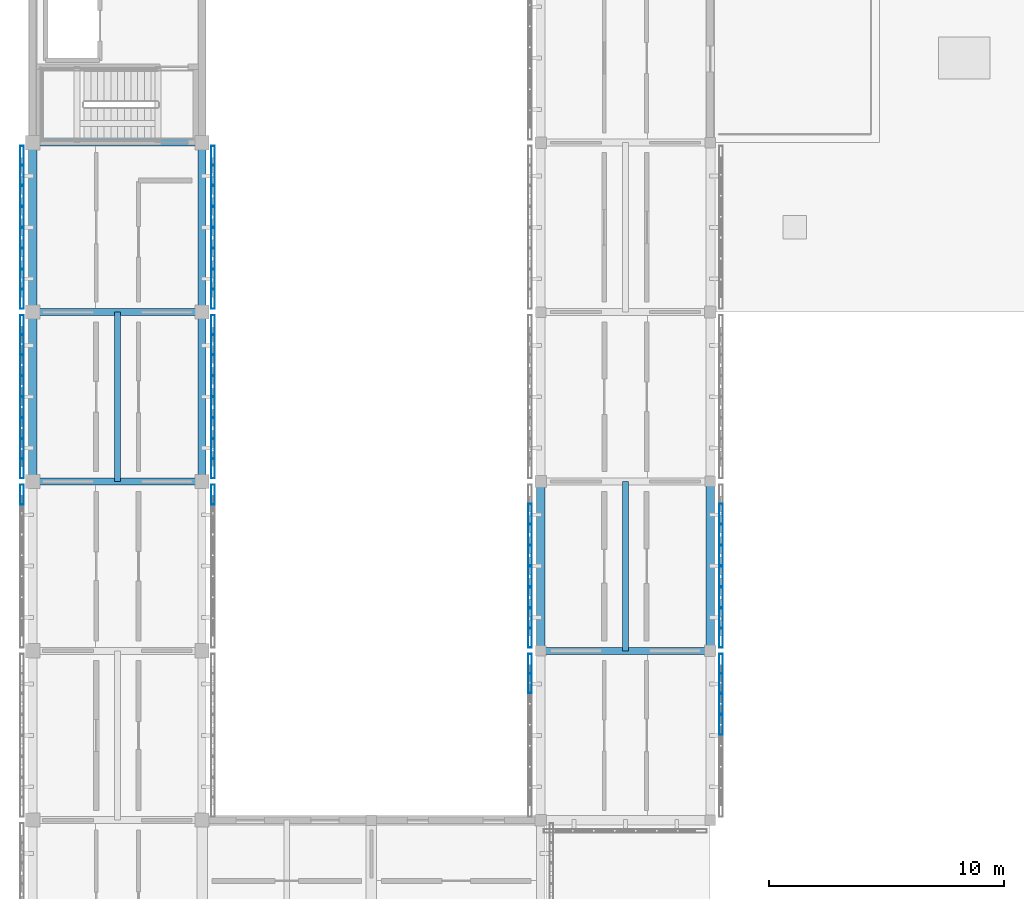
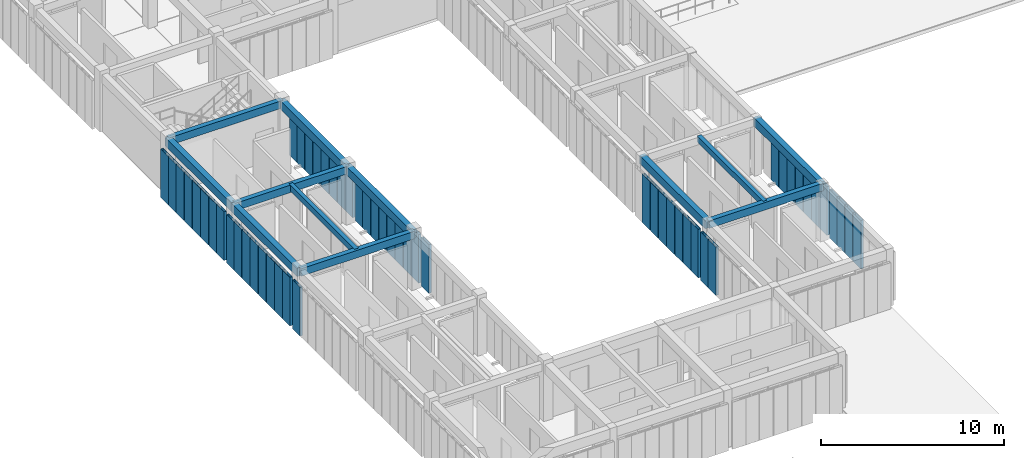
# One storey, part 6 of 67: 54 members, 12 beams, 10 elements without a shape of their own.
"""IFC4 building model written with IfcOpenShell, lengths in metres."""

from ifc_helpers import new_model, si_unit, direction, frame, origin, origin_2d, place, context, subcontext, project, spatial, rectangle, hollow_rectangle, extrude, material, material_profile, profile_set, type_object, element, aggregate, save


model = new_model("IFC4")

# Units and contexts
model_context = context("Model", 3, precision=1e-05, world=origin(), true_north=direction((0.0, 1.0)))
body_context = subcontext(model_context, "Body", "Model", "MODEL_VIEW")
ifc_project = project(units=[si_unit("LENGTHUNIT", "METRE"), si_unit("AREAUNIT", "SQUARE_METRE"), si_unit("VOLUMEUNIT", "CUBIC_METRE"), si_unit("PLANEANGLEUNIT", "RADIAN"), si_unit("MASSUNIT", "GRAM", prefix="KILO")], contexts=[model_context])

# Site, building, storey
site_placement = place(None, origin())
site = spatial("IfcSite", under=ifc_project, at=site_placement, CompositionType="ELEMENT")
building_placement = place(site_placement, origin())
building = spatial("IfcBuilding", under=site, at=building_placement, Name="Aldebral Square Health Centre", CompositionType="ELEMENT")
storey_placement = place(building_placement, frame((0.0, 0.0, 13.5)))
storey = spatial("IfcBuildingStorey", under=building, at=storey_placement, Name="L03", CompositionType="ELEMENT", Elevation=13.5)

# Beams
ifc_material_1 = material(Name="Concrete C40/50", Category="concrete")
ifc_material_profile_1 = material_profile(ifc_material_1, rectangle(XDim=0.35009765625, YDim=0.550048828125, at=origin_2d()), Name="RC 350x550")
ifc_profile_set_1 = profile_set([ifc_material_profile_1], Name="Concrete C40/50")
beam_type_1 = type_object("IfcBeamType", Name="BM-B3", PredefinedType="BEAM", material=ifc_profile_set_1)
beam_1_placement = place(storey_placement, frame((0.0, 79.199951171875, 3.514892578125), z_axis=(0.0, 1.0, 0.0), x_axis=(-1.0, 0.0, 0.0)))
element("IfcBeam", 1, at=beam_1_placement, inside=storey, type_object=beam_type_1, Name="L03 Y-beam G1/12-13", PredefinedType="BEAM", context=body_context, shape_type="SweptSolid", body=[
    extrude(rectangle(XDim=0.35009765625, YDim=0.550048828125, at=origin_2d()), origin(), (0.0, 0.0, 1.0), 7.199951171875),
])
beam_2_placement = place(storey_placement, frame((0.0, 86.39990234375, 3.514892578125), z_axis=(0.0, 1.0, 0.0), x_axis=(-1.0, 0.0, 0.0)))
element("IfcBeam", 2, at=beam_2_placement, inside=storey, type_object=beam_type_1, Name="L03 Y-beam G1/13-14", PredefinedType="BEAM", context=body_context, shape_type="SweptSolid", body=[
    extrude(rectangle(XDim=0.35009765625, YDim=0.550048828125, at=origin_2d()), origin(), (0.0, 0.0, 1.0), 7.2001953125),
])
beam_3_placement = place(storey_placement, frame((7.199951171875, 79.199951171875, 3.514892578125), z_axis=(0.0, 1.0, 0.0), x_axis=(-1.0, 0.0, 0.0)))
element("IfcBeam", 3, at=beam_3_placement, inside=storey, type_object=beam_type_1, Name="L03 Y-beam G2/12-13", PredefinedType="BEAM", context=body_context, shape_type="SweptSolid", body=[
    extrude(rectangle(XDim=0.35009765625, YDim=0.550048828125, at=origin_2d()), origin(), (0.0, 0.0, 1.0), 7.199951171875),
])
beam_4_placement = place(storey_placement, frame((7.199951171875, 86.39990234375, 3.514892578125), z_axis=(0.0, 1.0, 0.0), x_axis=(-1.0, 0.0, 0.0)))
element("IfcBeam", 4, at=beam_4_placement, inside=storey, type_object=beam_type_1, Name="L03 Y-beam G2/13-14", PredefinedType="BEAM", context=body_context, shape_type="SweptSolid", body=[
    extrude(rectangle(XDim=0.35009765625, YDim=0.550048828125, at=origin_2d()), origin(), (0.0, 0.0, 1.0), 7.2001953125),
])
for number, where, z_axis, x_axis, name in (
    (5, (21.60009765625, 72.0, 3.514892578125), (0.0, 1.0, 0.0), (-1.0, 0.0, 0.0), "L03 Y-beam G4/11-12"),
    (6, (28.800048828125, 72.0, 3.514892578125), (0.0, 1.0, 0.0), (-1.0, 0.0, 0.0), "L03 Y-beam G5/11-12"),
):
    element("IfcBeam", number, at=place(storey_placement, frame(where, z_axis=z_axis, x_axis=x_axis)), inside=storey, type_object=beam_type_1, Name=name, PredefinedType="BEAM", context=body_context, shape_type="SweptSolid", body=[
        extrude(rectangle(XDim=0.35009765625, YDim=0.550048828125, at=origin_2d()), origin(), (0.0, 0.0, 1.0), 7.199951171875),
    ])
ifc_material_profile_2 = material_profile(ifc_material_1, rectangle(XDim=0.300048828125, YDim=0.5, at=origin_2d()), Name="RC 300x500")
ifc_profile_set_2 = profile_set([ifc_material_profile_2], Name="Concrete C40/50")
beam_type_2 = type_object("IfcBeamType", Name="BM-B4", PredefinedType="BEAM", material=ifc_profile_set_2)
for number, where, z_axis, x_axis, name in (
    (7, (0.0, 79.199951171875, 3.5400390625), (1.0, 0.0, 0.0), (0.0, 1.0, 0.0), "L03 X-beam 1-2/G12"),
    (8, (0.0, 86.39990234375, 3.5400390625), (1.0, 0.0, 0.0), (0.0, 1.0, 0.0), "L03 X-beam 1-2/G13"),
    (9, (0.0, 93.60009765625, 3.5400390625), (1.0, 0.0, 0.0), (0.0, 1.0, 0.0), "L03 X-beam 1-2/G14"),
    (10, (21.60009765625, 72.0, 3.5400390625), (1.0, 0.0, 0.0), (0.0, 1.0, 0.0), "L03 X-beam 4-5/G11"),
):
    element("IfcBeam", number, at=place(storey_placement, frame(where, z_axis=z_axis, x_axis=x_axis)), inside=storey, type_object=beam_type_2, Name=name, PredefinedType="BEAM", context=body_context, shape_type="SweptSolid", body=[
        extrude(rectangle(XDim=0.300048828125, YDim=0.5, at=origin_2d()), origin(), (0.0, 0.0, 1.0), 7.199951171875),
    ])
ifc_material_profile_3 = material_profile(ifc_material_1, rectangle(XDim=0.25, YDim=0.39990234375, at=origin_2d()), Name="RC 250x400")
ifc_profile_set_3 = profile_set([ifc_material_profile_3], Name="Concrete C40/50")
beam_type_3 = type_object("IfcBeamType", Name="BM-B6", PredefinedType="JOIST", material=ifc_profile_set_3)
for number, where, z_axis, x_axis, name in (
    (11, (3.60009765625, 79.199951171875, 3.590087890625), (0.0, 1.0, 0.0), (-1.0, 0.0, 0.0), "L03 secondary rib 1.12"),
    (12, (25.199951171875, 72.0, 3.590087890625), (0.0, 1.0, 0.0), (-1.0, 0.0, 0.0), "L03 secondary rib 4.11"),
):
    element("IfcBeam", number, at=place(storey_placement, frame(where, z_axis=z_axis, x_axis=x_axis)), inside=storey, type_object=beam_type_3, Name=name, PredefinedType="JOIST", context=body_context, shape_type="SweptSolid", body=[
        extrude(rectangle(XDim=0.25, YDim=0.39990234375, at=origin_2d()), origin(), (0.0, 0.0, 1.0), 7.199951171875),
    ])

# Curtain wall, member
ifc_material_2 = material(Name="Aluminium and low-E solar glass", Category="aluminium")
curtain_wall_type = type_object("IfcCurtainWallType", Name="CW-FIN-SYS", PredefinedType="USERDEFINED", material=ifc_material_2)
curtain_wall_1_placement = place(storey_placement, origin())
curtain_wall_1 = element("IfcCurtainWall", 13, at=curtain_wall_1_placement, inside=storey, type_object=curtain_wall_type, Name="L03 V4 finned curtain wall L03-V4-00-10-W", ObjectType="SOLAR_CURTAIN_WALL", PredefinedType="USERDEFINED")
ifc_material_3 = material(Name="Sienna-terracotta clad aluminium fin", Category="masonry")
ifc_material_profile_4 = material_profile(ifc_material_3, hollow_rectangle(XDim=0.159912109375, YDim=0.85009765625, WallThickness=0.006103515625, at=origin_2d()), Name="FIN 160x850x6")
ifc_profile_set_4 = profile_set([ifc_material_profile_4], Name="Sienna-terracotta clad aluminium fin")
member_type = type_object("IfcMemberType", Name="CWM-FIN", PredefinedType="MULLION", material=ifc_profile_set_4)
member_1_placement = place(storey_placement, frame((-0.4599609375, 78.639892578125, 0.0), z_axis=(0.0, 0.0, 1.0), x_axis=(1.0, 0.0, 0.0)))
member_1 = element("IfcMember", 14, at=member_1_placement, type_object=member_type, Name="CW1 mullion 1", PredefinedType="MULLION", context=body_context, shape_type="SweptSolid", body=[
    extrude(hollow_rectangle(XDim=0.159912109375, YDim=0.85009765625, WallThickness=0.006103515625, at=origin_2d()), origin(), (0.0, 0.0, 1.0), 3.239990234375),
])
aggregate(curtain_wall_1, [member_1])

curtain_wall_2_placement = place(storey_placement, origin())
curtain_wall_2 = element("IfcCurtainWall", 15, at=curtain_wall_2_placement, inside=storey, type_object=curtain_wall_type, Name="L03 V4 finned curtain wall L03-V4-00-10-E", ObjectType="SOLAR_CURTAIN_WALL", PredefinedType="USERDEFINED")
member_2_placement = place(storey_placement, frame((7.659912109375, 78.639892578125, 0.0), z_axis=(0.0, 0.0, 1.0), x_axis=(-1.0, 0.0, 0.0)))
member_2 = element("IfcMember", 16, at=member_2_placement, type_object=member_type, Name="CW1 mullion 8", PredefinedType="MULLION", context=body_context, shape_type="SweptSolid", body=[
    extrude(hollow_rectangle(XDim=0.159912109375, YDim=0.85009765625, WallThickness=0.006103515625, at=origin_2d()), origin(), (0.0, 0.0, 1.0), 3.239990234375),
])
aggregate(curtain_wall_2, [member_2])

# Curtain wall, members
curtain_wall_3_placement = place(storey_placement, origin())
curtain_wall_3 = element("IfcCurtainWall", 17, at=curtain_wall_3_placement, inside=storey, type_object=curtain_wall_type, Name="L03 V4 finned curtain wall L03-V4-00-11-W", ObjectType="SOLAR_CURTAIN_WALL", PredefinedType="USERDEFINED")
member_3_placement = place(storey_placement, frame((-0.4599609375, 85.840087890625, 0.0), z_axis=(0.0, 0.0, 1.0), x_axis=(1.0, 0.0, 0.0)))
member_3 = element("IfcMember", 18, at=member_3_placement, type_object=member_type, Name="CW1 mullion 1", PredefinedType="MULLION", context=body_context, shape_type="SweptSolid", body=[
    extrude(hollow_rectangle(XDim=0.159912109375, YDim=0.85009765625, WallThickness=0.006103515625, at=origin_2d()), origin(), (0.0, 0.0, 1.0), 3.239990234375),
])
member_4_placement = place(storey_placement, frame((-0.4599609375, 85.028564453125, 0.0), z_axis=(0.0, 0.0, 1.0), x_axis=(1.0, 0.0, 0.0)))
member_4 = element("IfcMember", 19, at=member_4_placement, type_object=member_type, Name="CW1 mullion 2", PredefinedType="MULLION", context=body_context, shape_type="SweptSolid", body=[
    extrude(hollow_rectangle(XDim=0.159912109375, YDim=0.85009765625, WallThickness=0.006103515625, at=origin_2d()), origin(), (0.0, 0.0, 1.0), 3.239990234375),
])
member_5_placement = place(storey_placement, frame((-0.4599609375, 84.13720703125, 0.0), z_axis=(0.0, 0.0, 1.0), x_axis=(1.0, 0.0, 0.0)))
member_5 = element("IfcMember", 20, at=member_5_placement, type_object=member_type, Name="CW1 mullion 3", PredefinedType="MULLION", context=body_context, shape_type="SweptSolid", body=[
    extrude(hollow_rectangle(XDim=0.159912109375, YDim=0.85009765625, WallThickness=0.006103515625, at=origin_2d()), origin(), (0.0, 0.0, 1.0), 3.239990234375),
])
member_6_placement = place(storey_placement, frame((-0.4599609375, 83.24560546875, 0.0), z_axis=(0.0, 0.0, 1.0), x_axis=(1.0, 0.0, 0.0)))
member_6 = element("IfcMember", 21, at=member_6_placement, type_object=member_type, Name="CW1 mullion 4", PredefinedType="MULLION", context=body_context, shape_type="SweptSolid", body=[
    extrude(hollow_rectangle(XDim=0.159912109375, YDim=0.85009765625, WallThickness=0.006103515625, at=origin_2d()), origin(), (0.0, 0.0, 1.0), 3.239990234375),
])
member_7_placement = place(storey_placement, frame((-0.4599609375, 82.354248046875, 0.0), z_axis=(0.0, 0.0, 1.0), x_axis=(1.0, 0.0, 0.0)))
member_7 = element("IfcMember", 22, at=member_7_placement, type_object=member_type, Name="CW1 mullion 5", PredefinedType="MULLION", context=body_context, shape_type="SweptSolid", body=[
    extrude(hollow_rectangle(XDim=0.159912109375, YDim=0.85009765625, WallThickness=0.006103515625, at=origin_2d()), origin(), (0.0, 0.0, 1.0), 3.239990234375),
])
member_8_placement = place(storey_placement, frame((-0.4599609375, 81.462890625, 0.0), z_axis=(0.0, 0.0, 1.0), x_axis=(1.0, 0.0, 0.0)))
member_8 = element("IfcMember", 23, at=member_8_placement, type_object=member_type, Name="CW1 mullion 6", PredefinedType="MULLION", context=body_context, shape_type="SweptSolid", body=[
    extrude(hollow_rectangle(XDim=0.159912109375, YDim=0.85009765625, WallThickness=0.006103515625, at=origin_2d()), origin(), (0.0, 0.0, 1.0), 3.239990234375),
])
member_9_placement = place(storey_placement, frame((-0.4599609375, 80.571533203125, 0.0), z_axis=(0.0, 0.0, 1.0), x_axis=(1.0, 0.0, 0.0)))
member_9 = element("IfcMember", 24, at=member_9_placement, type_object=member_type, Name="CW1 mullion 7", PredefinedType="MULLION", context=body_context, shape_type="SweptSolid", body=[
    extrude(hollow_rectangle(XDim=0.159912109375, YDim=0.85009765625, WallThickness=0.006103515625, at=origin_2d()), origin(), (0.0, 0.0, 1.0), 3.239990234375),
])
member_10_placement = place(storey_placement, frame((-0.4599609375, 79.760009765625, 0.0), z_axis=(0.0, 0.0, 1.0), x_axis=(1.0, 0.0, 0.0)))
member_10 = element("IfcMember", 25, at=member_10_placement, type_object=member_type, Name="CW1 mullion 8", PredefinedType="MULLION", context=body_context, shape_type="SweptSolid", body=[
    extrude(hollow_rectangle(XDim=0.159912109375, YDim=0.85009765625, WallThickness=0.006103515625, at=origin_2d()), origin(), (0.0, 0.0, 1.0), 3.239990234375),
])
aggregate(curtain_wall_3, [member_3, member_4, member_5, member_6, member_7, member_8, member_9, member_10])

curtain_wall_4_placement = place(storey_placement, origin())
curtain_wall_4 = element("IfcCurtainWall", 26, at=curtain_wall_4_placement, inside=storey, type_object=curtain_wall_type, Name="L03 V4 finned curtain wall L03-V4-00-11-E", ObjectType="SOLAR_CURTAIN_WALL", PredefinedType="USERDEFINED")
member_11_placement = place(storey_placement, frame((7.659912109375, 79.760009765625, 0.0), z_axis=(0.0, 0.0, 1.0), x_axis=(-1.0, 0.0, 0.0)))
member_11 = element("IfcMember", 27, at=member_11_placement, type_object=member_type, Name="CW1 mullion 1", PredefinedType="MULLION", context=body_context, shape_type="SweptSolid", body=[
    extrude(hollow_rectangle(XDim=0.159912109375, YDim=0.85009765625, WallThickness=0.006103515625, at=origin_2d()), origin(), (0.0, 0.0, 1.0), 3.239990234375),
])
member_12_placement = place(storey_placement, frame((7.659912109375, 80.571533203125, 0.0), z_axis=(0.0, 0.0, 1.0), x_axis=(-1.0, 0.0, 0.0)))
member_12 = element("IfcMember", 28, at=member_12_placement, type_object=member_type, Name="CW1 mullion 2", PredefinedType="MULLION", context=body_context, shape_type="SweptSolid", body=[
    extrude(hollow_rectangle(XDim=0.159912109375, YDim=0.85009765625, WallThickness=0.006103515625, at=origin_2d()), origin(), (0.0, 0.0, 1.0), 3.239990234375),
])
member_13_placement = place(storey_placement, frame((7.659912109375, 81.462890625, 0.0), z_axis=(0.0, 0.0, 1.0), x_axis=(-1.0, 0.0, 0.0)))
member_13 = element("IfcMember", 29, at=member_13_placement, type_object=member_type, Name="CW1 mullion 3", PredefinedType="MULLION", context=body_context, shape_type="SweptSolid", body=[
    extrude(hollow_rectangle(XDim=0.159912109375, YDim=0.85009765625, WallThickness=0.006103515625, at=origin_2d()), origin(), (0.0, 0.0, 1.0), 3.239990234375),
])
member_14_placement = place(storey_placement, frame((7.659912109375, 82.354248046875, 0.0), z_axis=(0.0, 0.0, 1.0), x_axis=(-1.0, 0.0, 0.0)))
member_14 = element("IfcMember", 30, at=member_14_placement, type_object=member_type, Name="CW1 mullion 4", PredefinedType="MULLION", context=body_context, shape_type="SweptSolid", body=[
    extrude(hollow_rectangle(XDim=0.159912109375, YDim=0.85009765625, WallThickness=0.006103515625, at=origin_2d()), origin(), (0.0, 0.0, 1.0), 3.239990234375),
])
member_15_placement = place(storey_placement, frame((7.659912109375, 83.24560546875, 0.0), z_axis=(0.0, 0.0, 1.0), x_axis=(-1.0, 0.0, 0.0)))
member_15 = element("IfcMember", 31, at=member_15_placement, type_object=member_type, Name="CW1 mullion 5", PredefinedType="MULLION", context=body_context, shape_type="SweptSolid", body=[
    extrude(hollow_rectangle(XDim=0.159912109375, YDim=0.85009765625, WallThickness=0.006103515625, at=origin_2d()), origin(), (0.0, 0.0, 1.0), 3.239990234375),
])
member_16_placement = place(storey_placement, frame((7.659912109375, 84.13720703125, 0.0), z_axis=(0.0, 0.0, 1.0), x_axis=(-1.0, 0.0, 0.0)))
member_16 = element("IfcMember", 32, at=member_16_placement, type_object=member_type, Name="CW1 mullion 6", PredefinedType="MULLION", context=body_context, shape_type="SweptSolid", body=[
    extrude(hollow_rectangle(XDim=0.159912109375, YDim=0.85009765625, WallThickness=0.006103515625, at=origin_2d()), origin(), (0.0, 0.0, 1.0), 3.239990234375),
])
member_17_placement = place(storey_placement, frame((7.659912109375, 85.028564453125, 0.0), z_axis=(0.0, 0.0, 1.0), x_axis=(-1.0, 0.0, 0.0)))
member_17 = element("IfcMember", 33, at=member_17_placement, type_object=member_type, Name="CW1 mullion 7", PredefinedType="MULLION", context=body_context, shape_type="SweptSolid", body=[
    extrude(hollow_rectangle(XDim=0.159912109375, YDim=0.85009765625, WallThickness=0.006103515625, at=origin_2d()), origin(), (0.0, 0.0, 1.0), 3.239990234375),
])
member_18_placement = place(storey_placement, frame((7.659912109375, 85.840087890625, 0.0), z_axis=(0.0, 0.0, 1.0), x_axis=(-1.0, 0.0, 0.0)))
member_18 = element("IfcMember", 34, at=member_18_placement, type_object=member_type, Name="CW1 mullion 8", PredefinedType="MULLION", context=body_context, shape_type="SweptSolid", body=[
    extrude(hollow_rectangle(XDim=0.159912109375, YDim=0.85009765625, WallThickness=0.006103515625, at=origin_2d()), origin(), (0.0, 0.0, 1.0), 3.239990234375),
])
aggregate(curtain_wall_4, [member_11, member_12, member_13, member_14, member_15, member_16, member_17, member_18])

curtain_wall_5_placement = place(storey_placement, origin())
curtain_wall_5 = element("IfcCurtainWall", 35, at=curtain_wall_5_placement, inside=storey, type_object=curtain_wall_type, Name="L03 V4 finned curtain wall L03-V4-00-12-W", ObjectType="SOLAR_CURTAIN_WALL", PredefinedType="USERDEFINED")
member_19_placement = place(storey_placement, frame((-0.4599609375, 93.0400390625, 0.0), z_axis=(0.0, 0.0, 1.0), x_axis=(1.0, 0.0, 0.0)))
member_19 = element("IfcMember", 36, at=member_19_placement, type_object=member_type, Name="CW1 mullion 1", PredefinedType="MULLION", context=body_context, shape_type="SweptSolid", body=[
    extrude(hollow_rectangle(XDim=0.159912109375, YDim=0.85009765625, WallThickness=0.006103515625, at=origin_2d()), origin(), (0.0, 0.0, 1.0), 3.239990234375),
])
member_20_placement = place(storey_placement, frame((-0.4599609375, 92.228515625, 0.0), z_axis=(0.0, 0.0, 1.0), x_axis=(1.0, 0.0, 0.0)))
member_20 = element("IfcMember", 37, at=member_20_placement, type_object=member_type, Name="CW1 mullion 2", PredefinedType="MULLION", context=body_context, shape_type="SweptSolid", body=[
    extrude(hollow_rectangle(XDim=0.159912109375, YDim=0.85009765625, WallThickness=0.006103515625, at=origin_2d()), origin(), (0.0, 0.0, 1.0), 3.239990234375),
])
member_21_placement = place(storey_placement, frame((-0.4599609375, 91.337158203125, 0.0), z_axis=(0.0, 0.0, 1.0), x_axis=(1.0, 0.0, 0.0)))
member_21 = element("IfcMember", 38, at=member_21_placement, type_object=member_type, Name="CW1 mullion 3", PredefinedType="MULLION", context=body_context, shape_type="SweptSolid", body=[
    extrude(hollow_rectangle(XDim=0.159912109375, YDim=0.85009765625, WallThickness=0.006103515625, at=origin_2d()), origin(), (0.0, 0.0, 1.0), 3.239990234375),
])
member_22_placement = place(storey_placement, frame((-0.4599609375, 90.44580078125, 0.0), z_axis=(0.0, 0.0, 1.0), x_axis=(1.0, 0.0, 0.0)))
member_22 = element("IfcMember", 39, at=member_22_placement, type_object=member_type, Name="CW1 mullion 4", PredefinedType="MULLION", context=body_context, shape_type="SweptSolid", body=[
    extrude(hollow_rectangle(XDim=0.159912109375, YDim=0.85009765625, WallThickness=0.006103515625, at=origin_2d()), origin(), (0.0, 0.0, 1.0), 3.239990234375),
])
member_23_placement = place(storey_placement, frame((-0.4599609375, 89.55419921875, 0.0), z_axis=(0.0, 0.0, 1.0), x_axis=(1.0, 0.0, 0.0)))
member_23 = element("IfcMember", 40, at=member_23_placement, type_object=member_type, Name="CW1 mullion 5", PredefinedType="MULLION", context=body_context, shape_type="SweptSolid", body=[
    extrude(hollow_rectangle(XDim=0.159912109375, YDim=0.85009765625, WallThickness=0.006103515625, at=origin_2d()), origin(), (0.0, 0.0, 1.0), 3.239990234375),
])
member_24_placement = place(storey_placement, frame((-0.4599609375, 88.662841796875, 0.0), z_axis=(0.0, 0.0, 1.0), x_axis=(1.0, 0.0, 0.0)))
member_24 = element("IfcMember", 41, at=member_24_placement, type_object=member_type, Name="CW1 mullion 6", PredefinedType="MULLION", context=body_context, shape_type="SweptSolid", body=[
    extrude(hollow_rectangle(XDim=0.159912109375, YDim=0.85009765625, WallThickness=0.006103515625, at=origin_2d()), origin(), (0.0, 0.0, 1.0), 3.239990234375),
])
member_25_placement = place(storey_placement, frame((-0.4599609375, 87.771484375, 0.0), z_axis=(0.0, 0.0, 1.0), x_axis=(1.0, 0.0, 0.0)))
member_25 = element("IfcMember", 42, at=member_25_placement, type_object=member_type, Name="CW1 mullion 7", PredefinedType="MULLION", context=body_context, shape_type="SweptSolid", body=[
    extrude(hollow_rectangle(XDim=0.159912109375, YDim=0.85009765625, WallThickness=0.006103515625, at=origin_2d()), origin(), (0.0, 0.0, 1.0), 3.239990234375),
])
member_26_placement = place(storey_placement, frame((-0.4599609375, 86.9599609375, 0.0), z_axis=(0.0, 0.0, 1.0), x_axis=(1.0, 0.0, 0.0)))
member_26 = element("IfcMember", 43, at=member_26_placement, type_object=member_type, Name="CW1 mullion 8", PredefinedType="MULLION", context=body_context, shape_type="SweptSolid", body=[
    extrude(hollow_rectangle(XDim=0.159912109375, YDim=0.85009765625, WallThickness=0.006103515625, at=origin_2d()), origin(), (0.0, 0.0, 1.0), 3.239990234375),
])
aggregate(curtain_wall_5, [member_19, member_20, member_21, member_22, member_23, member_24, member_25, member_26])

curtain_wall_6_placement = place(storey_placement, origin())
curtain_wall_6 = element("IfcCurtainWall", 44, at=curtain_wall_6_placement, inside=storey, type_object=curtain_wall_type, Name="L03 V4 finned curtain wall L03-V4-00-12-E", ObjectType="SOLAR_CURTAIN_WALL", PredefinedType="USERDEFINED")
member_27_placement = place(storey_placement, frame((7.659912109375, 86.9599609375, 0.0), z_axis=(0.0, 0.0, 1.0), x_axis=(-1.0, 0.0, 0.0)))
member_27 = element("IfcMember", 45, at=member_27_placement, type_object=member_type, Name="CW1 mullion 1", PredefinedType="MULLION", context=body_context, shape_type="SweptSolid", body=[
    extrude(hollow_rectangle(XDim=0.159912109375, YDim=0.85009765625, WallThickness=0.006103515625, at=origin_2d()), origin(), (0.0, 0.0, 1.0), 3.239990234375),
])
member_28_placement = place(storey_placement, frame((7.659912109375, 87.771484375, 0.0), z_axis=(0.0, 0.0, 1.0), x_axis=(-1.0, 0.0, 0.0)))
member_28 = element("IfcMember", 46, at=member_28_placement, type_object=member_type, Name="CW1 mullion 2", PredefinedType="MULLION", context=body_context, shape_type="SweptSolid", body=[
    extrude(hollow_rectangle(XDim=0.159912109375, YDim=0.85009765625, WallThickness=0.006103515625, at=origin_2d()), origin(), (0.0, 0.0, 1.0), 3.239990234375),
])
member_29_placement = place(storey_placement, frame((7.659912109375, 88.662841796875, 0.0), z_axis=(0.0, 0.0, 1.0), x_axis=(-1.0, 0.0, 0.0)))
member_29 = element("IfcMember", 47, at=member_29_placement, type_object=member_type, Name="CW1 mullion 3", PredefinedType="MULLION", context=body_context, shape_type="SweptSolid", body=[
    extrude(hollow_rectangle(XDim=0.159912109375, YDim=0.85009765625, WallThickness=0.006103515625, at=origin_2d()), origin(), (0.0, 0.0, 1.0), 3.239990234375),
])
member_30_placement = place(storey_placement, frame((7.659912109375, 89.55419921875, 0.0), z_axis=(0.0, 0.0, 1.0), x_axis=(-1.0, 0.0, 0.0)))
member_30 = element("IfcMember", 48, at=member_30_placement, type_object=member_type, Name="CW1 mullion 4", PredefinedType="MULLION", context=body_context, shape_type="SweptSolid", body=[
    extrude(hollow_rectangle(XDim=0.159912109375, YDim=0.85009765625, WallThickness=0.006103515625, at=origin_2d()), origin(), (0.0, 0.0, 1.0), 3.239990234375),
])
member_31_placement = place(storey_placement, frame((7.659912109375, 90.44580078125, 0.0), z_axis=(0.0, 0.0, 1.0), x_axis=(-1.0, 0.0, 0.0)))
member_31 = element("IfcMember", 49, at=member_31_placement, type_object=member_type, Name="CW1 mullion 5", PredefinedType="MULLION", context=body_context, shape_type="SweptSolid", body=[
    extrude(hollow_rectangle(XDim=0.159912109375, YDim=0.85009765625, WallThickness=0.006103515625, at=origin_2d()), origin(), (0.0, 0.0, 1.0), 3.239990234375),
])
member_32_placement = place(storey_placement, frame((7.659912109375, 91.337158203125, 0.0), z_axis=(0.0, 0.0, 1.0), x_axis=(-1.0, 0.0, 0.0)))
member_32 = element("IfcMember", 50, at=member_32_placement, type_object=member_type, Name="CW1 mullion 6", PredefinedType="MULLION", context=body_context, shape_type="SweptSolid", body=[
    extrude(hollow_rectangle(XDim=0.159912109375, YDim=0.85009765625, WallThickness=0.006103515625, at=origin_2d()), origin(), (0.0, 0.0, 1.0), 3.239990234375),
])
member_33_placement = place(storey_placement, frame((7.659912109375, 92.228515625, 0.0), z_axis=(0.0, 0.0, 1.0), x_axis=(-1.0, 0.0, 0.0)))
member_33 = element("IfcMember", 51, at=member_33_placement, type_object=member_type, Name="CW1 mullion 7", PredefinedType="MULLION", context=body_context, shape_type="SweptSolid", body=[
    extrude(hollow_rectangle(XDim=0.159912109375, YDim=0.85009765625, WallThickness=0.006103515625, at=origin_2d()), origin(), (0.0, 0.0, 1.0), 3.239990234375),
])
member_34_placement = place(storey_placement, frame((7.659912109375, 93.0400390625, 0.0), z_axis=(0.0, 0.0, 1.0), x_axis=(-1.0, 0.0, 0.0)))
member_34 = element("IfcMember", 52, at=member_34_placement, type_object=member_type, Name="CW1 mullion 8", PredefinedType="MULLION", context=body_context, shape_type="SweptSolid", body=[
    extrude(hollow_rectangle(XDim=0.159912109375, YDim=0.85009765625, WallThickness=0.006103515625, at=origin_2d()), origin(), (0.0, 0.0, 1.0), 3.239990234375),
])
aggregate(curtain_wall_6, [member_27, member_28, member_29, member_30, member_31, member_32, member_33, member_34])

curtain_wall_7_placement = place(storey_placement, origin())
curtain_wall_7 = element("IfcCurtainWall", 53, at=curtain_wall_7_placement, inside=storey, type_object=curtain_wall_type, Name="L03 V4 finned curtain wall L03-V4-03-09-W", ObjectType="SOLAR_CURTAIN_WALL", PredefinedType="USERDEFINED")
member_35_placement = place(storey_placement, frame((21.139892578125, 71.43994140625, 0.0), z_axis=(0.0, 0.0, 1.0), x_axis=(1.0, 0.0, 0.0)))
member_35 = element("IfcMember", 54, at=member_35_placement, type_object=member_type, Name="CW1 mullion 1", PredefinedType="MULLION", context=body_context, shape_type="SweptSolid", body=[
    extrude(hollow_rectangle(XDim=0.159912109375, YDim=0.85009765625, WallThickness=0.006103515625, at=origin_2d()), origin(), (0.0, 0.0, 1.0), 3.239990234375),
])
member_36_placement = place(storey_placement, frame((21.139892578125, 70.628662109375, 0.0), z_axis=(0.0, 0.0, 1.0), x_axis=(1.0, 0.0, 0.0)))
member_36 = element("IfcMember", 55, at=member_36_placement, type_object=member_type, Name="CW1 mullion 2", PredefinedType="MULLION", context=body_context, shape_type="SweptSolid", body=[
    extrude(hollow_rectangle(XDim=0.159912109375, YDim=0.85009765625, WallThickness=0.006103515625, at=origin_2d()), origin(), (0.0, 0.0, 1.0), 3.239990234375),
])
aggregate(curtain_wall_7, [member_35, member_36])

curtain_wall_8_placement = place(storey_placement, origin())
curtain_wall_8 = element("IfcCurtainWall", 56, at=curtain_wall_8_placement, inside=storey, type_object=curtain_wall_type, Name="L03 V4 finned curtain wall L03-V4-03-09-E", ObjectType="SOLAR_CURTAIN_WALL", PredefinedType="USERDEFINED")
member_37_placement = place(storey_placement, frame((29.260009765625, 68.845703125, 0.0), z_axis=(0.0, 0.0, 1.0), x_axis=(-1.0, 0.0, 0.0)))
member_37 = element("IfcMember", 57, at=member_37_placement, type_object=member_type, Name="CW1 mullion 5", PredefinedType="MULLION", context=body_context, shape_type="SweptSolid", body=[
    extrude(hollow_rectangle(XDim=0.159912109375, YDim=0.85009765625, WallThickness=0.006103515625, at=origin_2d()), origin(), (0.0, 0.0, 1.0), 3.239990234375),
])
member_38_placement = place(storey_placement, frame((29.260009765625, 69.737060546875, 0.0), z_axis=(0.0, 0.0, 1.0), x_axis=(-1.0, 0.0, 0.0)))
member_38 = element("IfcMember", 58, at=member_38_placement, type_object=member_type, Name="CW1 mullion 6", PredefinedType="MULLION", context=body_context, shape_type="SweptSolid", body=[
    extrude(hollow_rectangle(XDim=0.159912109375, YDim=0.85009765625, WallThickness=0.006103515625, at=origin_2d()), origin(), (0.0, 0.0, 1.0), 3.239990234375),
])
member_39_placement = place(storey_placement, frame((29.260009765625, 70.628662109375, 0.0), z_axis=(0.0, 0.0, 1.0), x_axis=(-1.0, 0.0, 0.0)))
member_39 = element("IfcMember", 59, at=member_39_placement, type_object=member_type, Name="CW1 mullion 7", PredefinedType="MULLION", context=body_context, shape_type="SweptSolid", body=[
    extrude(hollow_rectangle(XDim=0.159912109375, YDim=0.85009765625, WallThickness=0.006103515625, at=origin_2d()), origin(), (0.0, 0.0, 1.0), 3.239990234375),
])
member_40_placement = place(storey_placement, frame((29.260009765625, 71.43994140625, 0.0), z_axis=(0.0, 0.0, 1.0), x_axis=(-1.0, 0.0, 0.0)))
member_40 = element("IfcMember", 60, at=member_40_placement, type_object=member_type, Name="CW1 mullion 8", PredefinedType="MULLION", context=body_context, shape_type="SweptSolid", body=[
    extrude(hollow_rectangle(XDim=0.159912109375, YDim=0.85009765625, WallThickness=0.006103515625, at=origin_2d()), origin(), (0.0, 0.0, 1.0), 3.239990234375),
])
aggregate(curtain_wall_8, [member_37, member_38, member_39, member_40])

curtain_wall_9_placement = place(storey_placement, origin())
curtain_wall_9 = element("IfcCurtainWall", 61, at=curtain_wall_9_placement, inside=storey, type_object=curtain_wall_type, Name="L03 V4 finned curtain wall L03-V4-03-10-W", ObjectType="SOLAR_CURTAIN_WALL", PredefinedType="USERDEFINED")
member_41_placement = place(storey_placement, frame((21.139892578125, 77.82861328125, 0.0), z_axis=(0.0, 0.0, 1.0), x_axis=(1.0, 0.0, 0.0)))
member_41 = element("IfcMember", 62, at=member_41_placement, type_object=member_type, Name="CW1 mullion 2", PredefinedType="MULLION", context=body_context, shape_type="SweptSolid", body=[
    extrude(hollow_rectangle(XDim=0.159912109375, YDim=0.85009765625, WallThickness=0.006103515625, at=origin_2d()), origin(), (0.0, 0.0, 1.0), 3.239990234375),
])
member_42_placement = place(storey_placement, frame((21.139892578125, 76.937255859375, 0.0), z_axis=(0.0, 0.0, 1.0), x_axis=(1.0, 0.0, 0.0)))
member_42 = element("IfcMember", 63, at=member_42_placement, type_object=member_type, Name="CW1 mullion 3", PredefinedType="MULLION", context=body_context, shape_type="SweptSolid", body=[
    extrude(hollow_rectangle(XDim=0.159912109375, YDim=0.85009765625, WallThickness=0.006103515625, at=origin_2d()), origin(), (0.0, 0.0, 1.0), 3.239990234375),
])
member_43_placement = place(storey_placement, frame((21.139892578125, 76.045654296875, 0.0), z_axis=(0.0, 0.0, 1.0), x_axis=(1.0, 0.0, 0.0)))
member_43 = element("IfcMember", 64, at=member_43_placement, type_object=member_type, Name="CW1 mullion 4", PredefinedType="MULLION", context=body_context, shape_type="SweptSolid", body=[
    extrude(hollow_rectangle(XDim=0.159912109375, YDim=0.85009765625, WallThickness=0.006103515625, at=origin_2d()), origin(), (0.0, 0.0, 1.0), 3.239990234375),
])
member_44_placement = place(storey_placement, frame((21.139892578125, 75.154296875, 0.0), z_axis=(0.0, 0.0, 1.0), x_axis=(1.0, 0.0, 0.0)))
member_44 = element("IfcMember", 65, at=member_44_placement, type_object=member_type, Name="CW1 mullion 5", PredefinedType="MULLION", context=body_context, shape_type="SweptSolid", body=[
    extrude(hollow_rectangle(XDim=0.159912109375, YDim=0.85009765625, WallThickness=0.006103515625, at=origin_2d()), origin(), (0.0, 0.0, 1.0), 3.239990234375),
])
member_45_placement = place(storey_placement, frame((21.139892578125, 74.262939453125, 0.0), z_axis=(0.0, 0.0, 1.0), x_axis=(1.0, 0.0, 0.0)))
member_45 = element("IfcMember", 66, at=member_45_placement, type_object=member_type, Name="CW1 mullion 6", PredefinedType="MULLION", context=body_context, shape_type="SweptSolid", body=[
    extrude(hollow_rectangle(XDim=0.159912109375, YDim=0.85009765625, WallThickness=0.006103515625, at=origin_2d()), origin(), (0.0, 0.0, 1.0), 3.239990234375),
])
member_46_placement = place(storey_placement, frame((21.139892578125, 73.371337890625, 0.0), z_axis=(0.0, 0.0, 1.0), x_axis=(1.0, 0.0, 0.0)))
member_46 = element("IfcMember", 67, at=member_46_placement, type_object=member_type, Name="CW1 mullion 7", PredefinedType="MULLION", context=body_context, shape_type="SweptSolid", body=[
    extrude(hollow_rectangle(XDim=0.159912109375, YDim=0.85009765625, WallThickness=0.006103515625, at=origin_2d()), origin(), (0.0, 0.0, 1.0), 3.239990234375),
])
member_47_placement = place(storey_placement, frame((21.139892578125, 72.56005859375, 0.0), z_axis=(0.0, 0.0, 1.0), x_axis=(1.0, 0.0, 0.0)))
member_47 = element("IfcMember", 68, at=member_47_placement, type_object=member_type, Name="CW1 mullion 8", PredefinedType="MULLION", context=body_context, shape_type="SweptSolid", body=[
    extrude(hollow_rectangle(XDim=0.159912109375, YDim=0.85009765625, WallThickness=0.006103515625, at=origin_2d()), origin(), (0.0, 0.0, 1.0), 3.239990234375),
])
aggregate(curtain_wall_9, [member_41, member_42, member_43, member_44, member_45, member_46, member_47])

curtain_wall_10_placement = place(storey_placement, origin())
curtain_wall_10 = element("IfcCurtainWall", 69, at=curtain_wall_10_placement, inside=storey, type_object=curtain_wall_type, Name="L03 V4 finned curtain wall L03-V4-03-10-E", ObjectType="SOLAR_CURTAIN_WALL", PredefinedType="USERDEFINED")
member_48_placement = place(storey_placement, frame((29.260009765625, 72.56005859375, 0.0), z_axis=(0.0, 0.0, 1.0), x_axis=(-1.0, 0.0, 0.0)))
member_48 = element("IfcMember", 70, at=member_48_placement, type_object=member_type, Name="CW1 mullion 1", PredefinedType="MULLION", context=body_context, shape_type="SweptSolid", body=[
    extrude(hollow_rectangle(XDim=0.159912109375, YDim=0.85009765625, WallThickness=0.006103515625, at=origin_2d()), origin(), (0.0, 0.0, 1.0), 3.239990234375),
])
member_49_placement = place(storey_placement, frame((29.260009765625, 73.371337890625, 0.0), z_axis=(0.0, 0.0, 1.0), x_axis=(-1.0, 0.0, 0.0)))
member_49 = element("IfcMember", 71, at=member_49_placement, type_object=member_type, Name="CW1 mullion 2", PredefinedType="MULLION", context=body_context, shape_type="SweptSolid", body=[
    extrude(hollow_rectangle(XDim=0.159912109375, YDim=0.85009765625, WallThickness=0.006103515625, at=origin_2d()), origin(), (0.0, 0.0, 1.0), 3.239990234375),
])
member_50_placement = place(storey_placement, frame((29.260009765625, 74.262939453125, 0.0), z_axis=(0.0, 0.0, 1.0), x_axis=(-1.0, 0.0, 0.0)))
member_50 = element("IfcMember", 72, at=member_50_placement, type_object=member_type, Name="CW1 mullion 3", PredefinedType="MULLION", context=body_context, shape_type="SweptSolid", body=[
    extrude(hollow_rectangle(XDim=0.159912109375, YDim=0.85009765625, WallThickness=0.006103515625, at=origin_2d()), origin(), (0.0, 0.0, 1.0), 3.239990234375),
])
member_51_placement = place(storey_placement, frame((29.260009765625, 75.154296875, 0.0), z_axis=(0.0, 0.0, 1.0), x_axis=(-1.0, 0.0, 0.0)))
member_51 = element("IfcMember", 73, at=member_51_placement, type_object=member_type, Name="CW1 mullion 4", PredefinedType="MULLION", context=body_context, shape_type="SweptSolid", body=[
    extrude(hollow_rectangle(XDim=0.159912109375, YDim=0.85009765625, WallThickness=0.006103515625, at=origin_2d()), origin(), (0.0, 0.0, 1.0), 3.239990234375),
])
member_52_placement = place(storey_placement, frame((29.260009765625, 76.045654296875, 0.0), z_axis=(0.0, 0.0, 1.0), x_axis=(-1.0, 0.0, 0.0)))
member_52 = element("IfcMember", 74, at=member_52_placement, type_object=member_type, Name="CW1 mullion 5", PredefinedType="MULLION", context=body_context, shape_type="SweptSolid", body=[
    extrude(hollow_rectangle(XDim=0.159912109375, YDim=0.85009765625, WallThickness=0.006103515625, at=origin_2d()), origin(), (0.0, 0.0, 1.0), 3.239990234375),
])
member_53_placement = place(storey_placement, frame((29.260009765625, 76.937255859375, 0.0), z_axis=(0.0, 0.0, 1.0), x_axis=(-1.0, 0.0, 0.0)))
member_53 = element("IfcMember", 75, at=member_53_placement, type_object=member_type, Name="CW1 mullion 6", PredefinedType="MULLION", context=body_context, shape_type="SweptSolid", body=[
    extrude(hollow_rectangle(XDim=0.159912109375, YDim=0.85009765625, WallThickness=0.006103515625, at=origin_2d()), origin(), (0.0, 0.0, 1.0), 3.239990234375),
])
member_54_placement = place(storey_placement, frame((29.260009765625, 77.82861328125, 0.0), z_axis=(0.0, 0.0, 1.0), x_axis=(-1.0, 0.0, 0.0)))
member_54 = element("IfcMember", 76, at=member_54_placement, type_object=member_type, Name="CW1 mullion 7", PredefinedType="MULLION", context=body_context, shape_type="SweptSolid", body=[
    extrude(hollow_rectangle(XDim=0.159912109375, YDim=0.85009765625, WallThickness=0.006103515625, at=origin_2d()), origin(), (0.0, 0.0, 1.0), 3.239990234375),
])
aggregate(curtain_wall_10, [member_48, member_49, member_50, member_51, member_52, member_53, member_54])

save(model, "model.ifc")
